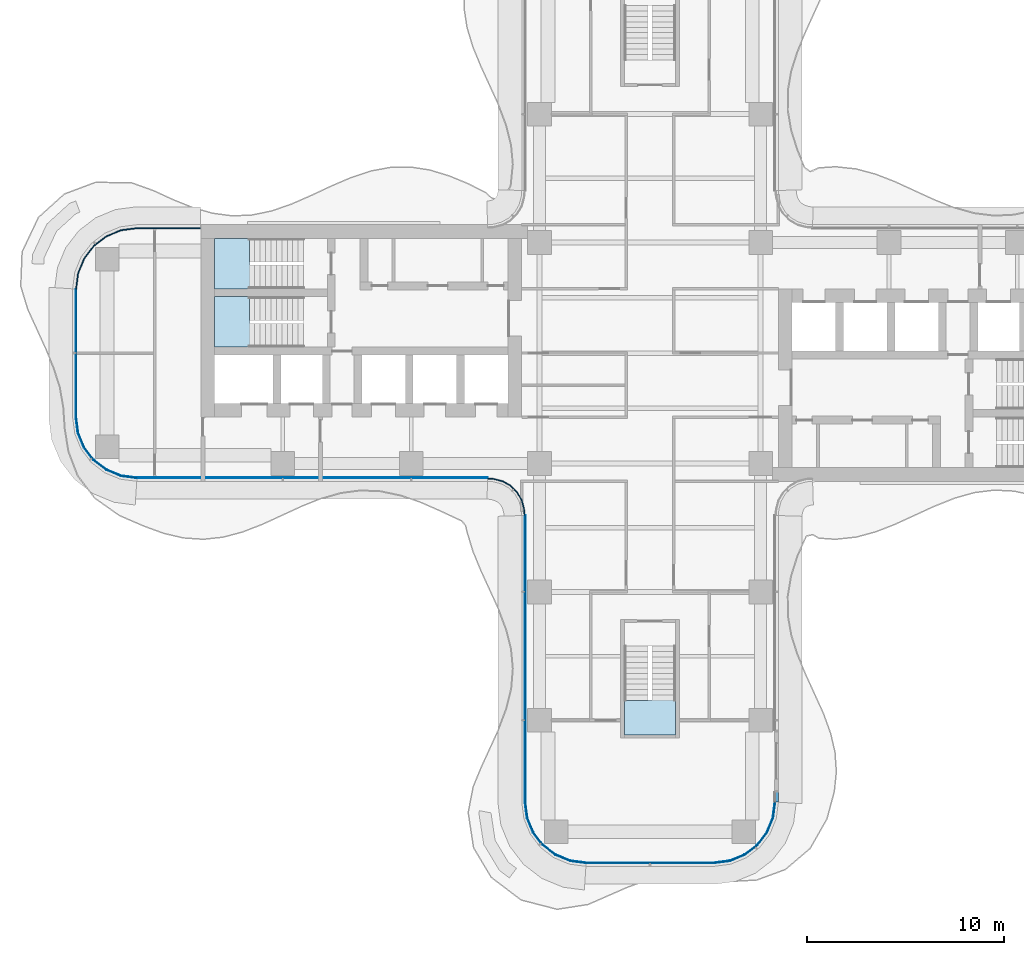
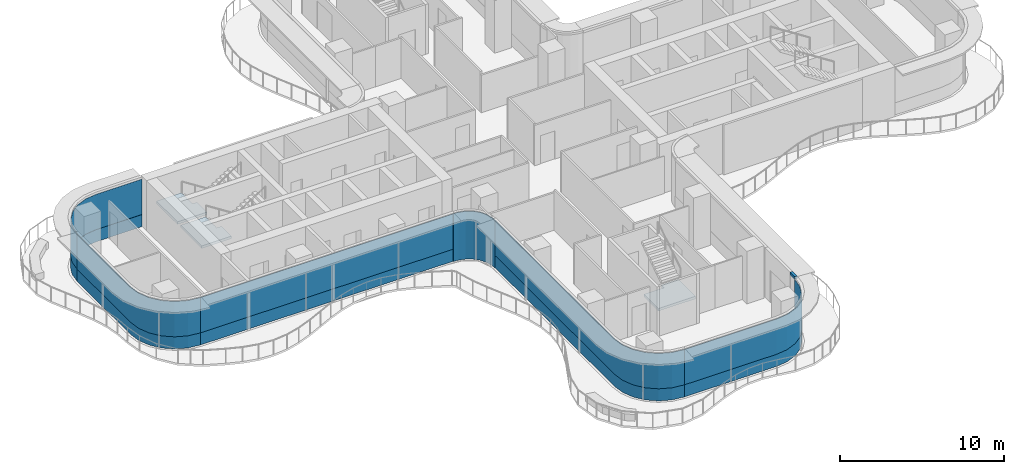
# One storey, part 9 of 18: 11 plates, 3 slabs, 1 member, 10 elements without a shape of their own.
"""IFC4 building model written with IfcOpenShell, lengths in metres."""

import ifcopenshell
import ifcopenshell.guid

model = None  # the IFC model being written
_history = None  # IfcOwnerHistory: only IFC2X3 demands one
_inside = {}  # id of a spatial element -> (the spatial element, [elements in it])
_under = {}  # id of a project, library or spatial element -> (it, [spatial elements below it])
_declared = {}  # id of a project -> (the project, [libraries it declares])
_typed = {}  # id of a type object -> (the type object, [elements of that type])
_made_of = {}  # id of a material, layer set ... -> (it, [elements and type objects made of it])


def new_model(schema):
    """Start an empty IFC model of exactly this schema.

    Asked for "IFC4X3", IfcOpenShell would pick the latest addendum, in which some entities
    have other attributes; the version numbers below select the first issue.
    IFC2X3 requires an IfcOwnerHistory on every rooted entity: one is made here for all.
    """
    global model, _history
    if schema == "IFC4X3":
        model = ifcopenshell.file(schema_version=(4, 3, 0, 0))
    else:
        model = ifcopenshell.file(schema=schema)
    _inside.clear()
    _under.clear()
    _declared.clear()
    _typed.clear()
    _made_of.clear()
    _history = None
    if model.schema == "IFC2X3":
        org = make("IfcOrganization", Name="unknown")
        user = make(
            "IfcPersonAndOrganization",
            ThePerson=make("IfcPerson", FamilyName="unknown"),
            TheOrganization=org,
        )
        app = make(
            "IfcApplication",
            ApplicationDeveloper=org,
            Version="unknown",
            ApplicationFullName="unknown",
            ApplicationIdentifier="unknown",
        )
        _history = make(
            "IfcOwnerHistory",
            OwningUser=user,
            OwningApplication=app,
            ChangeAction="ADDED",
            CreationDate=0,
        )
    return model


def make(cls, **values):
    """One entity of the class cls with the attributes given. An attribute that is None is left unset."""
    return model.create_entity(
        cls, **{name: value for name, value in values.items() if value is not None}
    )


def rooted(cls, **values):
    """An entity with a GlobalId (a new one), such as an element, a storey or a relation."""
    return make(cls, GlobalId=ifcopenshell.guid.new(), OwnerHistory=_history, **values)


def si_unit(unit_type, name, prefix=None):
    """IfcSIUnit, for example si_unit("LENGTHUNIT", "METRE", prefix="MILLI")."""
    return make("IfcSIUnit", UnitType=unit_type, Prefix=prefix, Name=name)


def assignment(units):
    """IfcUnitAssignment: the units of a project."""
    return None if units is None else make("IfcUnitAssignment", Units=units)


def point(xyz):
    """IfcCartesianPoint."""
    return None if xyz is None else make("IfcCartesianPoint", Coordinates=xyz)


def direction(xyz):
    """IfcDirection."""
    return None if xyz is None else make("IfcDirection", DirectionRatios=xyz)


def frame(location, z_axis=None, x_axis=None):
    """IfcAxis2Placement3D, a coordinate frame: its origin and axes. An axis left out is left unset."""
    return make(
        "IfcAxis2Placement3D",
        Location=point(location),
        Axis=direction(z_axis),
        RefDirection=direction(x_axis),
    )


def origin():
    """The frame at (0, 0, 0) with its axes left unset."""
    return frame((0.0, 0.0, 0.0))


def place(relative_to, where):
    """IfcLocalPlacement: puts the frame where relative to a parent placement (None: the world)."""
    return make(
        "IfcLocalPlacement", PlacementRelTo=relative_to, RelativePlacement=where
    )


def context(
    kind, dimensions, precision=None, world=None, true_north=None, identifier=None
):
    """IfcGeometricRepresentationContext, for example the 3D "Model" context."""
    return make(
        "IfcGeometricRepresentationContext",
        ContextIdentifier=identifier,
        ContextType=kind,
        CoordinateSpaceDimension=dimensions,
        Precision=precision,
        WorldCoordinateSystem=world,
        TrueNorth=true_north,
    )


def subcontext(parent, identifier, kind, view, scale=None):
    """IfcGeometricRepresentationSubContext, for example "Body" below "Model"."""
    return make(
        "IfcGeometricRepresentationSubContext",
        ContextIdentifier=identifier,
        ContextType=kind,
        ParentContext=parent,
        TargetScale=scale,
        TargetView=view,
    )


def project(units=None, contexts=None):
    """IfcProject with its units and contexts."""
    return rooted(
        "IfcProject",
        Name="project",
        RepresentationContexts=contexts,
        UnitsInContext=assignment(units),
    )


def spatial(cls, under=None, at=None, **own):
    """A site, building, storey or space (cls), placed at a placement, below another one or the project."""
    s = rooted(cls, ObjectPlacement=at, **own)
    if under is not None:
        _under.setdefault(under.id(), (under, []))[1].append(s)
    return s


def polyline(points):
    """IfcPolyline through the points."""
    return make("IfcPolyline", Points=[point(p) for p in points])


def outline(outer, holes=None, kind="AREA"):
    """IfcArbitraryClosedProfileDef: a profile drawn as a closed curve; with holes, ...WithVoids."""
    if holes is None:
        return make("IfcArbitraryClosedProfileDef", ProfileType=kind, OuterCurve=outer)
    return make(
        "IfcArbitraryProfileDefWithVoids",
        ProfileType=kind,
        OuterCurve=outer,
        InnerCurves=holes,
    )


def extrude(swept, where, along, depth):
    """IfcExtrudedAreaSolid: the profile swept, set in the frame where, extruded along a direction by depth."""
    return make(
        "IfcExtrudedAreaSolid",
        SweptArea=swept,
        Position=where,
        ExtrudedDirection=direction(along),
        Depth=depth,
    )


def shape(context_of_items, identifier, shape_type, items):
    """IfcShapeRepresentation: the items that make up one representation, for example the "Body"."""
    return make(
        "IfcShapeRepresentation",
        ContextOfItems=context_of_items,
        RepresentationIdentifier=identifier,
        RepresentationType=shape_type,
        Items=items,
    )


def source(mapping_origin, context_of_items, identifier, shape_type, items):
    """IfcRepresentationMap: a shape defined once, which mapped items show again and again."""
    return make(
        "IfcRepresentationMap",
        MappingOrigin=mapping_origin,
        MappedRepresentation=shape(context_of_items, identifier, shape_type, items),
    )


def transform(
    local_origin,
    x_axis=None,
    y_axis=None,
    z_axis=None,
    scale=None,
    scale2=None,
    scale3=None,
    uniform=True,
):
    """IfcCartesianTransformationOperator3D, or its non-uniform kind. x_axis, y_axis, z_axis: its Axis1, 2, 3."""
    if uniform:
        return make(
            "IfcCartesianTransformationOperator3D",
            Axis1=direction(x_axis),
            Axis2=direction(y_axis),
            LocalOrigin=point(local_origin),
            Scale=scale,
            Axis3=direction(z_axis),
        )
    return make(
        "IfcCartesianTransformationOperator3DnonUniform",
        Axis1=direction(x_axis),
        Axis2=direction(y_axis),
        LocalOrigin=point(local_origin),
        Scale=scale,
        Axis3=direction(z_axis),
        Scale2=scale2,
        Scale3=scale3,
    )


def mapped(mapping_source, mapping_target):
    """IfcMappedItem: shows the shape of a source again, moved by a transform."""
    return make(
        "IfcMappedItem", MappingSource=mapping_source, MappingTarget=mapping_target
    )


def material(Name=None, Category=None):
    """IfcMaterial."""
    return make("IfcMaterial", Name=Name, Category=Category)


def layer(
    of_material, thickness, ventilated=None, Name=None, Category=None, Priority=None
):
    """IfcMaterialLayer: one layer of a wall or slab, of a material (None: an air gap)."""
    return make(
        "IfcMaterialLayer",
        Material=of_material,
        LayerThickness=thickness,
        IsVentilated=ventilated,
        Name=Name,
        Category=Category,
        Priority=Priority,
    )


def layer_set(layers, Name=None):
    """IfcMaterialLayerSet."""
    return make("IfcMaterialLayerSet", MaterialLayers=layers, LayerSetName=Name)


def made_of(thing, what):
    """Note that an element or type object is made of a material, layer set ...; save() writes the relation."""
    if what is not None:
        _made_of.setdefault(what.id(), (what, []))[1].append(thing)
    return thing


def type_object(cls, material=None, **own):
    """A type object (cls), such as IfcWallType, which elements share."""
    return made_of(rooted(cls, **own), material)


def element(
    cls,
    number,
    at=None,
    inside=None,
    cuts=None,
    type_object=None,
    material=None,
    context=None,
    identifier="Body",
    shape_type=None,
    held_by="IfcProductDefinitionShape",
    body=None,
    shapes=None,
    **own,
):
    """One element of the class cls, such as IfcWall. Its Tag is "e" and its number.

    at: its placement. inside: the storey or other place that contains it. cuts: it is an
    opening in that element (IfcRelVoidsElement). A single representation is given by context,
    identifier, shape_type and body (its items); several are given by shapes. held_by: the class
    of the entity that holds the representations. save() writes the other relations.
    """
    e = rooted(cls, Tag="e%d" % number, ObjectPlacement=at, **own)
    if body is not None:
        shapes = [shape(context, identifier, shape_type, body)]
    if shapes is not None:
        e.Representation = make(held_by, Representations=shapes)
    if inside is not None:
        _inside.setdefault(inside.id(), (inside, []))[1].append(e)
    if cuts is not None:
        rooted(
            "IfcRelVoidsElement", RelatingBuildingElement=cuts, RelatedOpeningElement=e
        )
    if type_object is not None:
        _typed.setdefault(type_object.id(), (type_object, []))[1].append(e)
    return made_of(e, material)


def aggregate(whole, parts):
    """IfcRelAggregates: a whole, such as a stair, and the parts it consists of."""
    return rooted("IfcRelAggregates", RelatingObject=whole, RelatedObjects=parts)


def save(model, path):
    """Write the relations noted so far, then the file.

    IfcRelAggregates (storeys below a building ...), IfcRelContainedInSpatialStructure (elements
    in a storey), IfcRelDefinesByType, IfcRelAssociatesMaterial and IfcRelDeclares: one each for
    every whole, place, type object, material and project.
    """
    for whole, parts in _under.values():
        aggregate(whole, parts)
    for where, things in _inside.values():
        rooted(
            "IfcRelContainedInSpatialStructure",
            RelatedElements=things,
            RelatingStructure=where,
        )
    for kind, things in _typed.values():
        rooted("IfcRelDefinesByType", RelatedObjects=things, RelatingType=kind)
    for what, things in _made_of.values():
        rooted("IfcRelAssociatesMaterial", RelatedObjects=things, RelatingMaterial=what)
    for by, libraries in _declared.values():
        rooted("IfcRelDeclares", RelatingContext=by, RelatedDefinitions=libraries)
    model.write(path)


model = new_model("IFC4")

# Units and contexts
model_context = context("Model", 3, precision=1e-05, world=origin(), true_north=direction((0.0, 1.0)))
body_context = subcontext(model_context, "Body", "Model", "MODEL_VIEW")
ifc_project = project(units=[si_unit("LENGTHUNIT", "METRE"), si_unit("AREAUNIT", "SQUARE_METRE"), si_unit("VOLUMEUNIT", "CUBIC_METRE"), si_unit("PLANEANGLEUNIT", "RADIAN"), si_unit("MASSUNIT", "GRAM", prefix="KILO")], contexts=[model_context])

# Site, building, storey
site_placement = place(None, origin())
site = spatial("IfcSite", under=ifc_project, at=site_placement, CompositionType="ELEMENT")
building_placement = place(site_placement, origin())
building = spatial("IfcBuilding", under=site, at=building_placement, Name="Trellis Farm Tower", CompositionType="ELEMENT")
storey_placement = place(building_placement, frame((0.0, 0.0, 201.0)))
storey = spatial("IfcBuildingStorey", under=building, at=storey_placement, Name="L44", CompositionType="ELEMENT", Elevation=201.0)

# Curtain wall, member
ifc_material_1 = material(Name="Aluminium and glass curtain wall", Category="aluminium")
ifc_layer_1 = layer(ifc_material_1, 0.18994140625)
ifc_layer_set_1 = layer_set([ifc_layer_1], Name="RIBBON CURTAIN WALL CW1")
curtain_wall_type_1 = type_object("IfcCurtainWallType", Name="RIBBON CURTAIN WALL CW1", PredefinedType="NOTDEFINED", material=ifc_layer_set_1)
placement_1 = place(storey_placement, origin())
curtain_wall_1 = element("IfcCurtainWall", 1, at=placement_1, inside=storey, type_object=curtain_wall_type_1, Name="CW1 004", PredefinedType="NOTDEFINED")
ifc_material_2 = material(Name="Aluminium extrusion 6063-T6", Category="aluminium")
ifc_layer_2 = layer(ifc_material_2, 0.199951171875)
ifc_layer_set_2 = layer_set([ifc_layer_2], Name="Aluminium extrusion 6063-T6")
member_type = type_object("IfcMemberType", Name="CW1 TRANSOM 200x180", PredefinedType="USERDEFINED", material=ifc_layer_set_2)
shared_shape_1 = source(origin(), body_context, "Body", "SweptSolid", [
    extrude(outline(polyline([(6.5, -22.75), (6.5, -22.175048828125), (6.300048828125, -22.175048828125), (6.300048828125, -22.73681640625), (6.5, -22.75)])), origin(), (0.0, 0.0, 1.0), 0.179931640625),
])
member_placement = place(storey_placement, frame((0.0, 0.0, 3.52001953125)))
member = element("IfcMember", 2, at=member_placement, type_object=member_type, Name="TR1 004", ObjectType="TRANSOM", PredefinedType="USERDEFINED", context=body_context, shape_type="MappedRepresentation", body=[
    mapped(shared_shape_1, transform((0.0, 0.0, 0.0))),
])
aggregate(curtain_wall_1, [member])

# Stair, slab
ifc_material_3 = material(Name="Concrete C50/60", Category="concrete")
stair_type = type_object("IfcStairType", Name="CORE EXIT STAIR 22 RISERS 177 MM", PredefinedType="HALF_TURN_STAIR", material=ifc_material_3)
stair_1 = element("IfcStair", 3, at=placement_1, inside=storey, type_object=stair_type, Name="Exit stair S", PredefinedType="HALF_TURN_STAIR")
ifc_layer_3 = layer(ifc_material_3, 0.18994140625)
ifc_layer_set_3 = layer_set([ifc_layer_3], Name="CORE STAIR LANDING 190 CONCRETE C50/60")
slab_type = type_object("IfcSlabType", Name="CORE STAIR LANDING 190 CONCRETE C50/60", PredefinedType="LANDING", material=ifc_layer_set_3)
shared_shape_2 = source(origin(), body_context, "Body", "SweptSolid", [
    extrude(outline(polyline([(1.300048828125, -19.35009765625), (-1.300048828125, -19.35009765625), (-1.300048828125, -17.60009765625), (-1.300048828125, -17.590087890625), (-0.10009765625, -17.590087890625), (-0.10009765625, -17.60009765625), (0.10009765625, -17.60009765625), (0.10009765625, -17.27197265625), (1.300048828125, -17.27197265625), (1.300048828125, -17.60009765625), (1.300048828125, -19.35009765625)])), origin(), (0.0, 0.0, 1.0), 0.18994140625),
])
placement_2 = place(storey_placement, frame((0.0, 0.0, 1.760009765625)))
slab_1 = element("IfcSlab", 4, at=placement_2, type_object=slab_type, Name="STS landing 1", PredefinedType="LANDING", context=body_context, shape_type="MappedRepresentation", body=[
    mapped(shared_shape_2, transform((0.0, 0.0, 0.0))),
])
aggregate(stair_1, [slab_1])

stair_2 = element("IfcStair", 5, at=placement_1, inside=storey, type_object=stair_type, Name="Exit stair W1", PredefinedType="HALF_TURN_STAIR")
shared_shape_3 = source(origin(), body_context, "Body", "SweptSolid", [
    extrude(outline(polyline([(-19.971923828125, 4.449951171875), (-19.971923828125, 3.25), (-20.300048828125, 3.25), (-22.050048828125, 3.25), (-22.050048828125, 5.800048828125), (-20.300048828125, 5.800048828125), (-20.2900390625, 5.800048828125), (-20.2900390625, 4.60009765625), (-20.300048828125, 4.60009765625), (-20.300048828125, 4.449951171875), (-19.971923828125, 4.449951171875)])), origin(), (0.0, 0.0, 1.0), 0.18994140625),
])
slab_2 = element("IfcSlab", 6, at=placement_2, type_object=slab_type, Name="STW1 landing 1", PredefinedType="LANDING", context=body_context, shape_type="MappedRepresentation", body=[
    mapped(shared_shape_3, transform((0.0, 0.0, 0.0))),
])
aggregate(stair_2, [slab_2])

stair_3 = element("IfcStair", 7, at=placement_1, inside=storey, type_object=stair_type, Name="Exit stair W2", PredefinedType="HALF_TURN_STAIR")
shared_shape_4 = source(origin(), body_context, "Body", "SweptSolid", [
    extrude(outline(polyline([(-19.971923828125, 1.5), (-19.971923828125, 0.300048828125), (-20.300048828125, 0.300048828125), (-22.050048828125, 0.300048828125), (-22.050048828125, 2.85009765625), (-20.300048828125, 2.85009765625), (-20.2900390625, 2.85009765625), (-20.2900390625, 1.64990234375), (-20.300048828125, 1.64990234375), (-20.300048828125, 1.5), (-19.971923828125, 1.5)])), origin(), (0.0, 0.0, 1.0), 0.18994140625),
])
slab_3 = element("IfcSlab", 8, at=placement_2, type_object=slab_type, Name="STW2 landing 1", PredefinedType="LANDING", context=body_context, shape_type="MappedRepresentation", body=[
    mapped(shared_shape_4, transform((0.0, 0.0, 0.0))),
])
aggregate(stair_3, [slab_3])

# Curtain wall, plate
curtain_wall_2 = element("IfcCurtainWall", 9, at=placement_1, inside=storey, type_object=curtain_wall_type_1, Name="CW1 002", PredefinedType="NOTDEFINED")
ifc_material_4 = material(Name="Sandstone faced insulated panel", Category="masonry")
ifc_layer_4 = layer(ifc_material_4, 0.050048828125)
ifc_layer_set_4 = layer_set([ifc_layer_4], Name="CW1 STONE SPANDREL PANEL 50")
plate_type_1 = type_object("IfcPlateType", Name="CW1 STONE SPANDREL PANEL 50", PredefinedType="CURTAIN_PANEL", material=ifc_layer_set_4)
shared_shape_5 = source(origin(), body_context, "Body", "SweptSolid", [
    extrude(outline(polyline([(-6.35009765625, -8.2265625), (-6.35009765625, -22.740234375), (-6.2431640625, -23.552001953125), (-5.93359375, -24.29931640625), (-5.441162109375, -24.941162109375), (-4.79931640625, -25.43359375), (-4.052001953125, -25.7431640625), (-3.240234375, -25.85009765625), (-3.23681640625, -25.800048828125), (-4.0390625, -25.6943359375), (-4.774169921875, -25.389892578125), (-5.405517578125, -24.905517578125), (-5.889892578125, -24.274169921875), (-6.1943359375, -23.5390625), (-6.300048828125, -22.73681640625), (-6.300048828125, -8.224853515625), (-6.35009765625, -8.2265625)])), origin(), (0.0, 0.0, 1.0), 0.89990234375),
])
plate_1 = element("IfcPlate", 10, at=placement_1, type_object=plate_type_1, Name="PS1 002", PredefinedType="CURTAIN_PANEL", context=body_context, shape_type="MappedRepresentation", body=[
    mapped(shared_shape_5, transform((0.0, 0.0, 0.0))),
])

curtain_wall_3 = element("IfcCurtainWall", 11, at=placement_1, inside=storey, type_object=curtain_wall_type_1, Name="CW1 003", PredefinedType="NOTDEFINED")
shared_shape_6 = source(origin(), body_context, "Body", "SweptSolid", [
    extrude(outline(polyline([(-3.240234375, -25.85009765625), (3.240234375, -25.85009765625), (4.052001953125, -25.7431640625), (4.79931640625, -25.43359375), (5.441162109375, -24.941162109375), (5.93359375, -24.29931640625), (6.2431640625, -23.552001953125), (6.35009765625, -22.740234375), (6.300048828125, -22.73681640625), (6.1943359375, -23.5390625), (5.889892578125, -24.274169921875), (5.405517578125, -24.905517578125), (4.774169921875, -25.389892578125), (4.0390625, -25.6943359375), (3.23681640625, -25.800048828125), (-3.23681640625, -25.800048828125), (-3.240234375, -25.85009765625)])), origin(), (0.0, 0.0, 1.0), 0.89990234375),
])
plate_2 = element("IfcPlate", 12, at=placement_1, type_object=plate_type_1, Name="PS1 003", PredefinedType="CURTAIN_PANEL", context=body_context, shape_type="MappedRepresentation", body=[
    mapped(shared_shape_6, transform((0.0, 0.0, 0.0))),
])

ifc_layer_5 = layer(ifc_material_1, 0.166015625)
ifc_layer_set_5 = layer_set([ifc_layer_5], Name="WINTER GARDEN CURTAIN WALL CW3")
curtain_wall_type_2 = type_object("IfcCurtainWallType", Name="WINTER GARDEN CURTAIN WALL CW3", PredefinedType="NOTDEFINED", material=ifc_layer_set_5)
curtain_wall_4 = element("IfcCurtainWall", 13, at=placement_1, inside=storey, type_object=curtain_wall_type_2, Name="CW3 001", PredefinedType="NOTDEFINED")
ifc_material_5 = material(Name="Clear insulated glass", Category="glass")
ifc_layer_6 = layer(ifc_material_5, 0.0458984375)
ifc_layer_set_6 = layer_set([ifc_layer_6], Name="CW3 GLASS PANEL 46")
plate_type_2 = type_object("IfcPlateType", Name="CW3 GLASS PANEL 46", PredefinedType="CURTAIN_PANEL", material=ifc_layer_set_6)
shared_shape_7 = source(origin(), body_context, "Body", "SweptSolid", [
    extrude(outline(polyline([(-8.2275390625, -6.3798828125), (-8.0078125, -6.394287109375), (-7.89208984375, -6.40966796875), (-7.462158203125, -6.52490234375), (-7.070556640625, -6.7509765625), (-6.7509765625, -7.070556640625), (-6.52490234375, -7.462158203125), (-6.40966796875, -7.89208984375), (-6.394287109375, -8.0078125), (-6.3798828125, -8.2275390625), (-6.333984375, -8.22607421875), (-6.3486328125, -8.003173828125), (-6.364501953125, -7.883056640625), (-6.48193359375, -7.4443359375), (-6.714111328125, -7.04248046875), (-7.04248046875, -6.714111328125), (-7.4443359375, -6.48193359375), (-7.883056640625, -6.364501953125), (-8.003173828125, -6.3486328125), (-8.22607421875, -6.333984375), (-8.2275390625, -6.3798828125)])), origin(), (0.0, 0.0, 1.0), 3.550048828125),
])
plate_3 = element("IfcPlate", 14, at=placement_1, type_object=plate_type_2, Name="PL3 001", PredefinedType="CURTAIN_PANEL", context=body_context, shape_type="MappedRepresentation", body=[
    mapped(shared_shape_7, transform((0.0, 0.0, 0.0))),
])
aggregate(curtain_wall_4, [plate_3])

# Curtain wall, plates
curtain_wall_5 = element("IfcCurtainWall", 15, at=placement_1, inside=storey, type_object=curtain_wall_type_1, Name="CW1 001", PredefinedType="NOTDEFINED")
ifc_layer_7 = layer(ifc_material_5, 0.0400390625)
ifc_layer_set_7 = layer_set([ifc_layer_7], Name="CW1 GLASS PANEL 40")
plate_type_3 = type_object("IfcPlateType", Name="CW1 GLASS PANEL 40", PredefinedType="CURTAIN_PANEL", material=ifc_layer_set_7)
shared_shape_8 = source(origin(), body_context, "Body", "SweptSolid", [
    extrude(outline(polyline([(-25.990234375, -6.35009765625), (-8.2265625, -6.35009765625), (-8.22509765625, -6.31005859375), (-25.987548828125, -6.31005859375), (-25.990234375, -6.35009765625)])), origin(), (0.0, 0.0, 1.0), 2.6201171875),
])
placement_3 = place(storey_placement, frame((0.0, 0.0, 0.89990234375)))
plate_4 = element("IfcPlate", 16, at=placement_3, type_object=plate_type_3, Name="PL1 001", PredefinedType="CURTAIN_PANEL", context=body_context, shape_type="MappedRepresentation", body=[
    mapped(shared_shape_8, transform((0.0, 0.0, 0.0))),
])
shared_shape_9 = source(origin(), body_context, "Body", "SweptSolid", [
    extrude(outline(polyline([(-25.990234375, -6.35009765625), (-8.2265625, -6.35009765625), (-8.224853515625, -6.300048828125), (-25.98681640625, -6.300048828125), (-25.990234375, -6.35009765625)])), origin(), (0.0, 0.0, 1.0), 0.89990234375),
])
plate_5 = element("IfcPlate", 17, at=placement_1, type_object=plate_type_1, Name="PS1 001", PredefinedType="CURTAIN_PANEL", context=body_context, shape_type="MappedRepresentation", body=[
    mapped(shared_shape_9, transform((0.0, 0.0, 0.0))),
])
aggregate(curtain_wall_5, [plate_4, plate_5])

# Plate
shared_shape_10 = source(origin(), body_context, "Body", "SweptSolid", [
    extrude(outline(polyline([(-6.35009765625, -8.2265625), (-6.35009765625, -22.740234375), (-6.2431640625, -23.552001953125), (-5.93359375, -24.29931640625), (-5.441162109375, -24.941162109375), (-4.79931640625, -25.43359375), (-4.052001953125, -25.7431640625), (-3.240234375, -25.85009765625), (-3.237548828125, -25.81005859375), (-4.04150390625, -25.7041015625), (-4.779296875, -25.398681640625), (-5.41259765625, -24.91259765625), (-5.898681640625, -24.279296875), (-6.2041015625, -23.54150390625), (-6.31005859375, -22.737548828125), (-6.31005859375, -8.22509765625), (-6.35009765625, -8.2265625)])), origin(), (0.0, 0.0, 1.0), 2.6201171875),
])
plate_6 = element("IfcPlate", 18, at=placement_3, type_object=plate_type_3, Name="PL1 002", PredefinedType="CURTAIN_PANEL", context=body_context, shape_type="MappedRepresentation", body=[
    mapped(shared_shape_10, transform((0.0, 0.0, 0.0))),
])

aggregate(curtain_wall_2, [plate_6, plate_1])

shared_shape_11 = source(origin(), body_context, "Body", "SweptSolid", [
    extrude(outline(polyline([(-3.240234375, -25.85009765625), (3.240234375, -25.85009765625), (4.052001953125, -25.7431640625), (4.79931640625, -25.43359375), (5.441162109375, -24.941162109375), (5.93359375, -24.29931640625), (6.2431640625, -23.552001953125), (6.35009765625, -22.740234375), (6.31005859375, -22.737548828125), (6.2041015625, -23.54150390625), (5.898681640625, -24.279296875), (5.41259765625, -24.91259765625), (4.779296875, -25.398681640625), (4.04150390625, -25.7041015625), (3.237548828125, -25.81005859375), (-3.237548828125, -25.81005859375), (-3.240234375, -25.85009765625)])), origin(), (0.0, 0.0, 1.0), 2.6201171875),
])
plate_7 = element("IfcPlate", 19, at=placement_3, type_object=plate_type_3, Name="PL1 003", PredefinedType="CURTAIN_PANEL", context=body_context, shape_type="MappedRepresentation", body=[
    mapped(shared_shape_11, transform((0.0, 0.0, 0.0))),
])

aggregate(curtain_wall_3, [plate_7, plate_2])

# Curtain wall, plates
curtain_wall_6 = element("IfcCurtainWall", 20, at=placement_1, inside=storey, type_object=curtain_wall_type_1, Name="CW1 012", PredefinedType="NOTDEFINED")
shared_shape_12 = source(origin(), body_context, "Body", "SweptSolid", [
    extrude(outline(polyline([(-22.780029296875, 6.35009765625), (-25.990234375, 6.35009765625), (-26.802001953125, 6.2431640625), (-27.54931640625, 5.93359375), (-28.191162109375, 5.441162109375), (-28.68359375, 4.79931640625), (-28.9931640625, 4.052001953125), (-29.10009765625, 3.240234375), (-29.06005859375, 3.237548828125), (-28.9541015625, 4.04150390625), (-28.648681640625, 4.779296875), (-28.16259765625, 5.41259765625), (-27.529296875, 5.898681640625), (-26.79150390625, 6.2041015625), (-25.987548828125, 6.31005859375), (-22.780029296875, 6.31005859375), (-22.780029296875, 6.35009765625)])), origin(), (0.0, 0.0, 1.0), 2.6201171875),
])
plate_8 = element("IfcPlate", 21, at=placement_3, type_object=plate_type_3, Name="PL1 012", PredefinedType="CURTAIN_PANEL", context=body_context, shape_type="MappedRepresentation", body=[
    mapped(shared_shape_12, transform((0.0, 0.0, 0.0))),
])
shared_shape_13 = source(origin(), body_context, "Body", "SweptSolid", [
    extrude(outline(polyline([(-22.780029296875, 6.35009765625), (-25.990234375, 6.35009765625), (-26.802001953125, 6.2431640625), (-27.54931640625, 5.93359375), (-28.191162109375, 5.441162109375), (-28.68359375, 4.79931640625), (-28.9931640625, 4.052001953125), (-29.10009765625, 3.240234375), (-29.050048828125, 3.23681640625), (-28.9443359375, 4.0390625), (-28.639892578125, 4.774169921875), (-28.155517578125, 5.405517578125), (-27.524169921875, 5.889892578125), (-26.7890625, 6.1943359375), (-25.98681640625, 6.300048828125), (-22.780029296875, 6.300048828125), (-22.780029296875, 6.35009765625)])), origin(), (0.0, 0.0, 1.0), 0.89990234375),
])
plate_9 = element("IfcPlate", 22, at=placement_1, type_object=plate_type_1, Name="PS1 012", PredefinedType="CURTAIN_PANEL", context=body_context, shape_type="MappedRepresentation", body=[
    mapped(shared_shape_13, transform((0.0, 0.0, 0.0))),
])
aggregate(curtain_wall_6, [plate_8, plate_9])

curtain_wall_7 = element("IfcCurtainWall", 23, at=placement_1, inside=storey, type_object=curtain_wall_type_1, Name="CW1 013", PredefinedType="NOTDEFINED")
shared_shape_14 = source(origin(), body_context, "Body", "SweptSolid", [
    extrude(outline(polyline([(-29.10009765625, 3.240234375), (-29.10009765625, -3.240234375), (-28.9931640625, -4.052001953125), (-28.68359375, -4.79931640625), (-28.191162109375, -5.441162109375), (-27.54931640625, -5.93359375), (-26.802001953125, -6.2431640625), (-25.990234375, -6.35009765625), (-25.987548828125, -6.31005859375), (-26.79150390625, -6.2041015625), (-27.529296875, -5.898681640625), (-28.16259765625, -5.41259765625), (-28.648681640625, -4.779296875), (-28.9541015625, -4.04150390625), (-29.06005859375, -3.237548828125), (-29.06005859375, 3.237548828125), (-29.10009765625, 3.240234375)])), origin(), (0.0, 0.0, 1.0), 2.6201171875),
])
plate_10 = element("IfcPlate", 24, at=placement_3, type_object=plate_type_3, Name="PL1 013", PredefinedType="CURTAIN_PANEL", context=body_context, shape_type="MappedRepresentation", body=[
    mapped(shared_shape_14, transform((0.0, 0.0, 0.0))),
])
shared_shape_15 = source(origin(), body_context, "Body", "SweptSolid", [
    extrude(outline(polyline([(-29.10009765625, 3.240234375), (-29.10009765625, -3.240234375), (-28.9931640625, -4.052001953125), (-28.68359375, -4.79931640625), (-28.191162109375, -5.441162109375), (-27.54931640625, -5.93359375), (-26.802001953125, -6.2431640625), (-25.990234375, -6.35009765625), (-25.98681640625, -6.300048828125), (-26.7890625, -6.1943359375), (-27.524169921875, -5.889892578125), (-28.155517578125, -5.405517578125), (-28.639892578125, -4.774169921875), (-28.9443359375, -4.0390625), (-29.050048828125, -3.23681640625), (-29.050048828125, 3.23681640625), (-29.10009765625, 3.240234375)])), origin(), (0.0, 0.0, 1.0), 0.89990234375),
])
plate_11 = element("IfcPlate", 25, at=placement_1, type_object=plate_type_1, Name="PS1 013", PredefinedType="CURTAIN_PANEL", context=body_context, shape_type="MappedRepresentation", body=[
    mapped(shared_shape_15, transform((0.0, 0.0, 0.0))),
])
aggregate(curtain_wall_7, [plate_10, plate_11])

save(model, "model.ifc")
